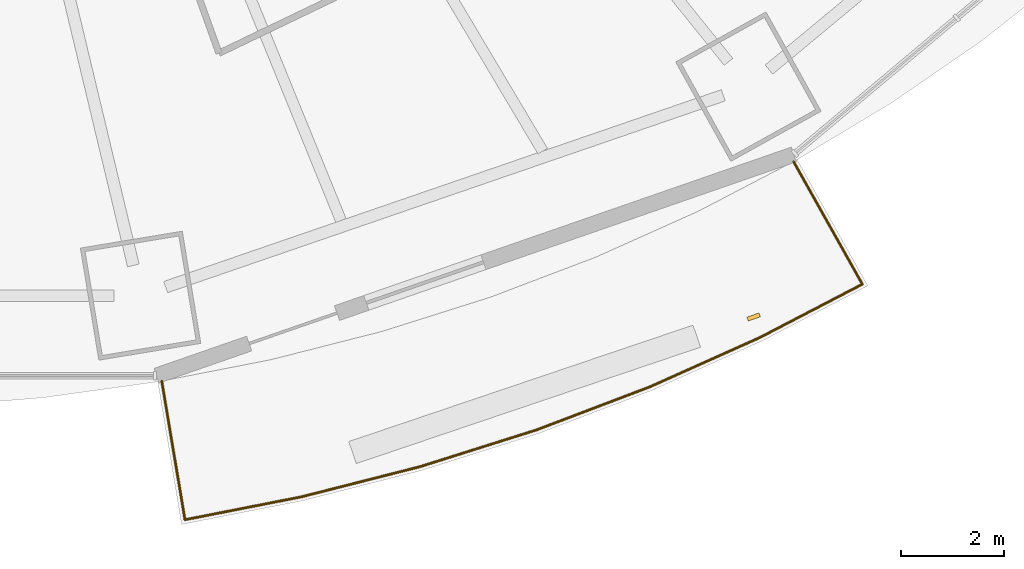
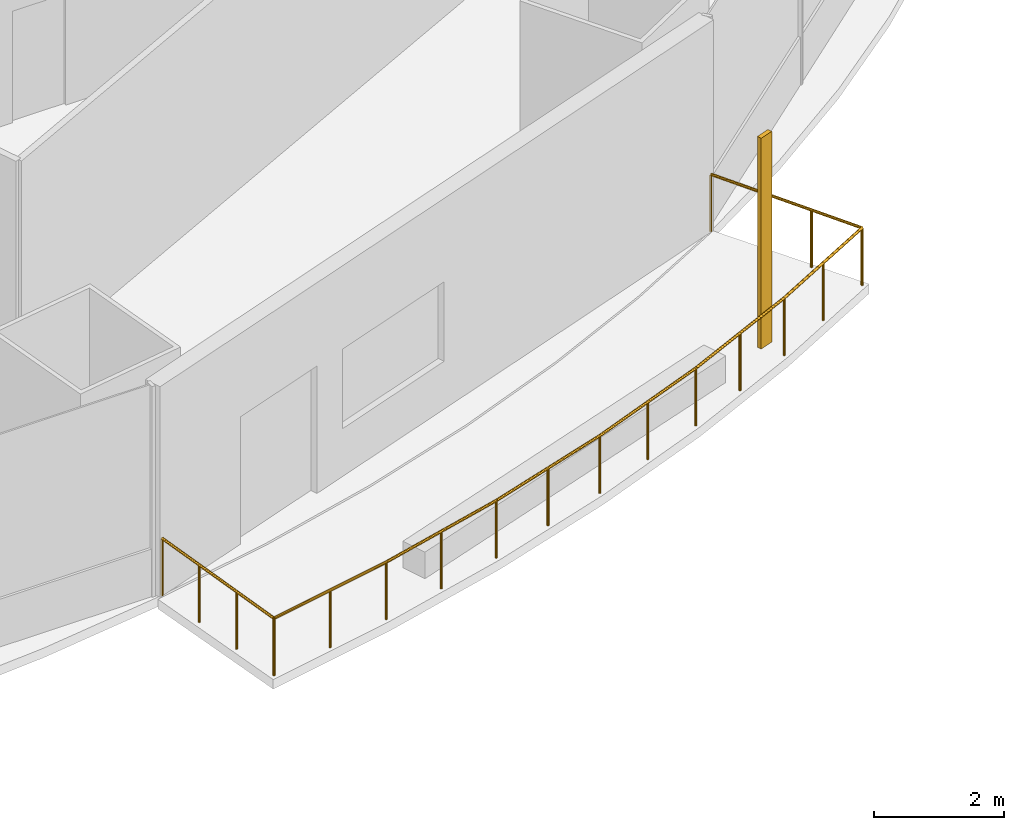
# One storey, part 18 of 22: 1 railing, 1 shading device.
"""IFC4 building model written with IfcOpenShell, lengths in metres."""

from ifc_helpers import new_model, si_unit, direction, frame, origin, origin_2d, place, context, subcontext, project, spatial, rectangle, circle, extrude, material, material_profile, profile_set, type_object, element, save


model = new_model("IFC4")

# Units and contexts
model_context = context("Model", 3, precision=1e-05, world=origin(), true_north=direction((0.0, 1.0)))
body_context = subcontext(model_context, "Body", "Model", "MODEL_VIEW")
ifc_project = project(units=[si_unit("LENGTHUNIT", "METRE"), si_unit("AREAUNIT", "SQUARE_METRE"), si_unit("VOLUMEUNIT", "CUBIC_METRE"), si_unit("PLANEANGLEUNIT", "RADIAN"), si_unit("MASSUNIT", "GRAM", prefix="KILO")], contexts=[model_context])

# Site, building, storey
site_placement = place(None, origin())
site = spatial("IfcSite", under=ifc_project, at=site_placement, CompositionType="ELEMENT")
building_placement = place(site_placement, origin())
building = spatial("IfcBuilding", under=site, at=building_placement, Name="Marenthal Gate Tower", CompositionType="ELEMENT")
storey_placement = place(building_placement, frame((0.0, 0.0, 107.699951171875)))
storey = spatial("IfcBuildingStorey", under=building, at=storey_placement, Name="L22", CompositionType="ELEMENT", Elevation=107.699951171875)

# Railing
ifc_material_1 = material(Name="Stainless steel", Category="steel")
railing_type = type_object("IfcRailingType", Name="Balcony guard 1100", PredefinedType="GUARDRAIL", material=ifc_material_1)
railing_placement = place(storey_placement, frame((19.01171875, -23.9921875, 0.0)))
element("IfcRailing", 1, at=railing_placement, inside=storey, type_object=railing_type, Name="Balcony guard L22 bay 13", PredefinedType="GUARDRAIL", context=body_context, shape_type="SweptSolid", body=[
    extrude(circle(Radius=0.02392578125, at=origin_2d()), frame((0.0, 0.0, 1.076171875), z_axis=(0.489197979897, -0.87204857286, -0.014718119373), x_axis=(0.872143041114, 0.489250974283, 0.0)), (0.0, 0.0, 1.0), 2.720458984375),
    extrude(circle(Radius=0.02392578125, at=origin_2d()), frame((1.330810546875, -2.372314453125, 1.0361328125), z_axis=(-0.887125590865, -0.461528098855, 0.0), x_axis=(0.461528098855, -0.887125590865, 0.0)), (0.0, 0.0, 1.0), 2.235595703125),
    extrude(circle(Radius=0.02392578125, at=origin_2d()), frame((-0.65234375, -3.404052734375, 1.0361328125), z_axis=(-0.912494502903, -0.409088966083, 0.0), x_axis=(0.409088966083, -0.912494502903, 0.0)), (0.0, 0.0, 1.0), 2.332275390625),
    extrude(circle(Radius=0.02392578125, at=origin_2d()), frame((-2.780517578125, -4.358154296875, 1.0361328125), z_axis=(-0.934764240257, -0.35526865206, 0.0), x_axis=(0.35526865206, -0.934764240257, 0.0)), (0.0, 0.0, 1.0), 2.347412109375),
    extrude(circle(Radius=0.02392578125, at=origin_2d()), frame((-4.974853515625, -5.192138671875, 1.0361328125), z_axis=(-0.953609232067, -0.30104722639, 0.0), x_axis=(0.30104722639, -0.953609232067, 0.0)), (0.0, 0.0, 1.0), 2.36083984375),
    extrude(circle(Radius=0.02392578125, at=origin_2d()), frame((-7.22607421875, -5.90283203125, 1.0361328125), z_axis=(-0.969104776695, -0.246649410675, 0.0), x_axis=(0.246649410675, -0.969104776695, 0.0)), (0.0, 0.0, 1.0), 2.37255859375),
    extrude(circle(Radius=0.02392578125, at=origin_2d()), frame((-9.525390625, -6.488037109375, 1.0361328125), z_axis=(-0.981215853429, -0.192913060677, 0.0), x_axis=(0.192913060677, -0.981215853429, 0.0)), (0.0, 0.0, 1.0), 2.302001953125),
    extrude(circle(Radius=0.02392578125, at=origin_2d()), frame((-11.7841796875, -6.93212890625, 1.0361328125), z_axis=(-0.164686797849, 0.986236088047, 0.014718602097), x_axis=(-0.986342933143, -0.164704639396, 0.0)), (0.0, 0.0, 1.0), 2.72021484375),
    extrude(circle(Radius=0.02099609375, at=origin_2d()), origin(), (0.0, 0.0, 1.0), 1.052001953125),
    extrude(circle(Radius=0.02099609375, at=origin_2d()), frame((0.443603515625, -0.790771484375, -0.013427734375)), (0.0, 0.0, 1.0), 1.052001953125),
    extrude(circle(Radius=0.02099609375, at=origin_2d()), frame((0.88720703125, -1.58154296875, -0.026611328125)), (0.0, 0.0, 1.0), 1.052001953125),
    extrude(circle(Radius=0.02099609375, at=origin_2d()), frame((1.330810546875, -2.372314453125, -0.0400390625)), (0.0, 0.0, 1.0), 1.052001953125),
    extrude(circle(Radius=0.02099609375, at=origin_2d()), frame((0.33935546875, -2.88818359375, -0.0400390625)), (0.0, 0.0, 1.0), 1.052001953125),
    extrude(circle(Radius=0.02099609375, at=origin_2d()), frame((-0.65234375, -3.404052734375, -0.0400390625)), (0.0, 0.0, 1.0), 1.052001953125),
    extrude(circle(Radius=0.02099609375, at=origin_2d()), frame((-1.71630859375, -3.881103515625, -0.0400390625)), (0.0, 0.0, 1.0), 1.052001953125),
    extrude(circle(Radius=0.02099609375, at=origin_2d()), frame((-2.780517578125, -4.358154296875, -0.0400390625)), (0.0, 0.0, 1.0), 1.052001953125),
    extrude(circle(Radius=0.02099609375, at=origin_2d()), frame((-3.877685546875, -4.775146484375, -0.0400390625)), (0.0, 0.0, 1.0), 1.052001953125),
    extrude(circle(Radius=0.02099609375, at=origin_2d()), frame((-4.974853515625, -5.192138671875, -0.0400390625)), (0.0, 0.0, 1.0), 1.052001953125),
    extrude(circle(Radius=0.02099609375, at=origin_2d()), frame((-6.1005859375, -5.54736328125, -0.0400390625)), (0.0, 0.0, 1.0), 1.052001953125),
    extrude(circle(Radius=0.02099609375, at=origin_2d()), frame((-7.22607421875, -5.90283203125, -0.0400390625)), (0.0, 0.0, 1.0), 1.052001953125),
    extrude(circle(Radius=0.02099609375, at=origin_2d()), frame((-8.375732421875, -6.1953125, -0.0400390625)), (0.0, 0.0, 1.0), 1.052001953125),
    extrude(circle(Radius=0.02099609375, at=origin_2d()), frame((-9.525390625, -6.488037109375, -0.0400390625)), (0.0, 0.0, 1.0), 1.052001953125),
    extrude(circle(Radius=0.02099609375, at=origin_2d()), frame((-10.65478515625, -6.7099609375, -0.0400390625)), (0.0, 0.0, 1.0), 1.052001953125),
    extrude(circle(Radius=0.02099609375, at=origin_2d()), frame((-11.7841796875, -6.93212890625, -0.0400390625)), (0.0, 0.0, 1.0), 1.052001953125),
    extrude(circle(Radius=0.02099609375, at=origin_2d()), frame((-11.93359375, -6.037841796875, -0.026611328125)), (0.0, 0.0, 1.0), 1.052001953125),
    extrude(circle(Radius=0.02099609375, at=origin_2d()), frame((-12.082763671875, -5.1435546875, -0.013427734375)), (0.0, 0.0, 1.0), 1.052001953125),
    extrude(circle(Radius=0.02099609375, at=origin_2d()), frame((-12.232177734375, -4.249267578125, 0.0)), (0.0, 0.0, 1.0), 1.052001953125),
])

# Shading device
ifc_material_2 = material(Name="Terracotta", Category="masonry")
ifc_material_profile = material_profile(ifc_material_2, rectangle(XDim=0.25, YDim=0.080078125, at=origin_2d()), Name="Terracotta baguette 250x80")
ifc_profile_set = profile_set([ifc_material_profile], Name="Terracotta")
shading_device_type = type_object("IfcShadingDeviceType", Name="Terracotta BAGUETTE SCREEN 250x80", PredefinedType="USERDEFINED", material=ifc_profile_set)
shading_device_placement = place(storey_placement, frame((18.238037109375, -26.999267578125, -0.0400390625), z_axis=(0.0, 0.0, 1.0), x_axis=(0.94459732274, 0.328231469959, 0.0)))
element("IfcShadingDevice", 2, at=shading_device_placement, inside=storey, type_object=shading_device_type, Name="Terracotta BAGUETTE L22 bay 13R", ObjectType="BAGUETTE SCREEN", PredefinedType="USERDEFINED", context=body_context, shape_type="SweptSolid", body=[
    extrude(rectangle(XDim=0.25, YDim=0.080078125, at=origin_2d()), origin(), (0.0, 0.0, 1.0), 3.969970703125),
])

save(model, "model.ifc")
